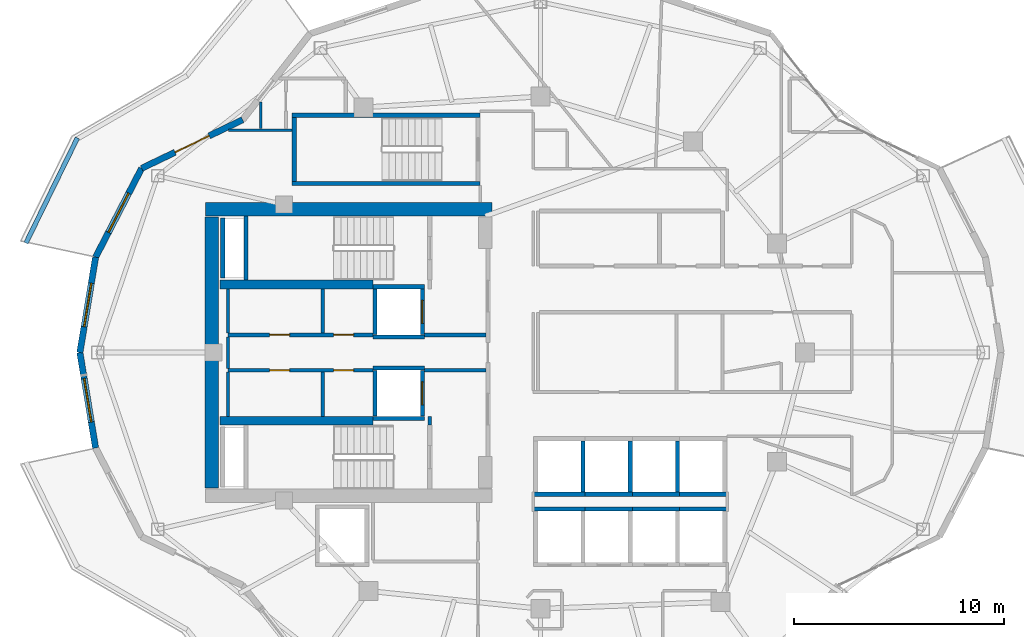
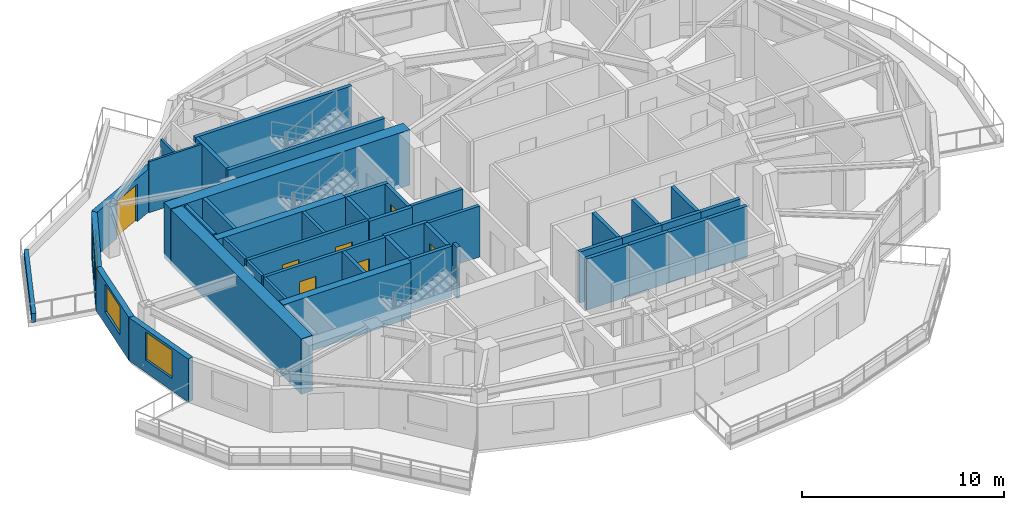
# One storey, part 6 of 13: 45 walls, 7 doors, 3 windows, 10 openings.
"""IFC4 building model written with IfcOpenShell, lengths in metres."""

from ifc_helpers import new_model, si_unit, direction, frame, frame_2d, origin, place, context, subcontext, project, spatial, rectangle, extrude, material, layer, layer_set, type_object, element, fill, save


model = new_model("IFC4")

# Units and contexts
model_context = context("Model", 3, precision=1e-05, world=origin(), true_north=direction((0.0, 1.0)))
body_context = subcontext(model_context, "Body", "Model", "MODEL_VIEW")
ifc_project = project(units=[si_unit("LENGTHUNIT", "METRE"), si_unit("AREAUNIT", "SQUARE_METRE"), si_unit("VOLUMEUNIT", "CUBIC_METRE"), si_unit("PLANEANGLEUNIT", "RADIAN"), si_unit("MASSUNIT", "GRAM", prefix="KILO")], contexts=[model_context])

# Site, building, storey
site_placement = place(None, origin())
site = spatial("IfcSite", under=ifc_project, at=site_placement, CompositionType="ELEMENT")
building_placement = place(site_placement, origin())
building = spatial("IfcBuilding", under=site, at=building_placement, Name="Kolvaren Gate Tower and Convention Centre", CompositionType="ELEMENT")
storey_placement = place(building_placement, frame((0.0, 0.0, 183.5)))
storey = spatial("IfcBuildingStorey", under=building, at=storey_placement, Name="L48", CompositionType="ELEMENT", Elevation=183.5)

# Wall
ifc_material_1 = material(Name="Autoclaved Aerated Masonry Blockwork Class 4 (4.0 MPa)", Category="masonry")
ifc_layer_1 = layer(ifc_material_1, 0.179931640625)
ifc_layer_set_1 = layer_set([ifc_layer_1], Name="Autoclaved Aerated Masonry Blockwork Class 4 (4.0 MPa)")
wall_type_1 = type_object("IfcWallType", Name="ARCH-WL-COMP-180", PredefinedType="SOLIDWALL", material=ifc_layer_set_1)
wall_1_placement = place(storey_placement, frame((24.85009765625, 23.5400390625, 0.0), z_axis=(0.0, 0.0, 1.0), x_axis=(0.0, 1.0, 0.0)))
element("IfcWall", 1, at=wall_1_placement, inside=storey, type_object=wall_type_1, Name="Interior Partition WL-L48-INT-001", PredefinedType="SOLIDWALL", context=body_context, shape_type="SweptSolid", body=[
    extrude(rectangle(XDim=0.419921875, YDim=0.179931640625, at=frame_2d((0.2099609375, 0.0))), origin(), (0.0, 0.0, 1.0), 3.080078125),
])

# Wall, openings, doors
wall_2_placement = place(storey_placement, frame((15.25, 27.840087890625, 0.0), z_axis=(0.0, 0.0, 1.0), x_axis=(1.0, 0.0, 0.0)))
wall_2 = element("IfcWall", 2, at=wall_2_placement, inside=storey, type_object=wall_type_1, Name="Interior Partition WL-L48-INT-004", PredefinedType="SOLIDWALL", context=body_context, shape_type="SweptSolid", body=[
    extrude(rectangle(XDim=6.89990234375, YDim=0.179931640625, at=frame_2d((3.449951171875, 0.0))), origin(), (0.0, 0.0, 1.0), 3.080078125),
])
opening_1_placement = place(wall_2_placement, frame((5.02001953125, 0.0, 0.0)))
opening_1 = element("IfcOpeningElement", 3, at=opening_1_placement, cuts=wall_2, Name="Opening DR-01", PredefinedType="OPENING", context=body_context, shape_type="SweptSolid", body=[
    extrude(rectangle(XDim=0.949951171875, YDim=2.10009765625, at=frame_2d((0.47509765625, 1.050048828125))), frame((0.0, 0.099853515625, 0.0), z_axis=(0.0, -1.0, 0.0), x_axis=(1.0, 0.0, 0.0)), (0.0, 0.0, 1.0), 0.199951171875),
])
opening_2_placement = place(wall_2_placement, frame((1.97998046875, 0.0, 0.0)))
opening_2 = element("IfcOpeningElement", 4, at=opening_2_placement, cuts=wall_2, Name="Opening DR-01", PredefinedType="OPENING", context=body_context, shape_type="SweptSolid", body=[
    extrude(rectangle(XDim=0.949951171875, YDim=2.10009765625, at=frame_2d((0.47509765625, 1.050048828125))), frame((0.0, 0.099853515625, 0.0), z_axis=(0.0, -1.0, 0.0), x_axis=(1.0, 0.0, 0.0)), (0.0, 0.0, 1.0), 0.199951171875),
])
ifc_material_2 = material(Name="Painted Architectural Steelwork ASTM A500 Grade C 345 MPa", Category="steel")
door_type_1 = type_object("IfcDoorType", Name="ARCH-DR-RISER-950", OperationType="SINGLE_SWING_RIGHT", PredefinedType="DOOR", material=ifc_material_2)
door_1_placement = place(opening_1_placement, origin())
door_1 = element("IfcDoor", 5, at=door_1_placement, inside=storey, type_object=door_type_1, Name="Electrical Switchgear Closet Door", OperationType="SINGLE_SWING_RIGHT", OverallHeight=2.10009765625, OverallWidth=0.949951171875, PredefinedType="DOOR", context=body_context, shape_type="SweptSolid", body=[
    extrude(rectangle(XDim=0.949951171875, YDim=2.10009765625, at=frame_2d((0.47509765625, 1.050048828125))), frame((0.0, 0.02490234375, 0.0), z_axis=(0.0, -1.0, 0.0), x_axis=(1.0, 0.0, 0.0)), (0.0, 0.0, 1.0), 0.050048828125),
])
fill(opening_1, door_1)
door_2_placement = place(opening_2_placement, origin())
door_2 = element("IfcDoor", 6, at=door_2_placement, inside=storey, type_object=door_type_1, Name="Staff Powder Washroom Door", OperationType="SINGLE_SWING_RIGHT", OverallHeight=2.10009765625, OverallWidth=0.949951171875, PredefinedType="DOOR", context=body_context, shape_type="SweptSolid", body=[
    extrude(rectangle(XDim=0.949951171875, YDim=2.10009765625, at=frame_2d((0.47509765625, 1.050048828125))), frame((0.0, 0.02490234375, 0.0), z_axis=(0.0, -1.0, 0.0), x_axis=(1.0, 0.0, 0.0)), (0.0, 0.0, 1.0), 0.050048828125),
])
fill(opening_2, door_2)

# Wall
wall_3_placement = place(storey_placement, frame((24.60009765625, 27.840087890625, 0.0), z_axis=(0.0, 0.0, 1.0), x_axis=(1.0, 0.0, 0.0)))
element("IfcWall", 7, at=wall_3_placement, inside=storey, type_object=wall_type_1, Name="Interior Partition WL-L48-INT-004 (2)", PredefinedType="SOLIDWALL", context=body_context, shape_type="SweptSolid", body=[
    extrude(rectangle(XDim=2.927978515625, YDim=0.179931640625, at=frame_2d((1.4638671875, 0.0))), origin(), (0.0, 0.0, 1.0), 3.080078125),
])

# Wall, openings, doors
wall_4_placement = place(storey_placement, frame((15.25, 26.159912109375, 0.0), z_axis=(0.0, 0.0, 1.0), x_axis=(1.0, 0.0, 0.0)))
wall_4 = element("IfcWall", 8, at=wall_4_placement, inside=storey, type_object=wall_type_1, Name="Interior Partition WL-L48-INT-005", PredefinedType="SOLIDWALL", context=body_context, shape_type="SweptSolid", body=[
    extrude(rectangle(XDim=6.89990234375, YDim=0.179931640625, at=frame_2d((3.449951171875, 0.0))), origin(), (0.0, 0.0, 1.0), 3.080078125),
])
opening_3_placement = place(wall_4_placement, frame((5.02001953125, 0.0, 0.0)))
opening_3 = element("IfcOpeningElement", 9, at=opening_3_placement, cuts=wall_4, Name="Opening DR-01", PredefinedType="OPENING", context=body_context, shape_type="SweptSolid", body=[
    extrude(rectangle(XDim=0.949951171875, YDim=2.10009765625, at=frame_2d((0.47509765625, 1.050048828125))), frame((0.0, 0.099853515625, 0.0), z_axis=(0.0, -1.0, 0.0), x_axis=(1.0, 0.0, 0.0)), (0.0, 0.0, 1.0), 0.199951171875),
])
opening_4_placement = place(wall_4_placement, frame((1.97998046875, 0.0, 0.0)))
opening_4 = element("IfcOpeningElement", 10, at=opening_4_placement, cuts=wall_4, Name="Opening DR-01", PredefinedType="OPENING", context=body_context, shape_type="SweptSolid", body=[
    extrude(rectangle(XDim=0.949951171875, YDim=2.10009765625, at=frame_2d((0.47509765625, 1.050048828125))), frame((0.0, 0.099853515625, 0.0), z_axis=(0.0, -1.0, 0.0), x_axis=(1.0, 0.0, 0.0)), (0.0, 0.0, 1.0), 0.199951171875),
])
door_3_placement = place(opening_3_placement, origin())
door_3 = element("IfcDoor", 11, at=door_3_placement, inside=storey, type_object=door_type_1, Name="Domestic Water Meter Closet Door", OperationType="SINGLE_SWING_LEFT", OverallHeight=2.10009765625, OverallWidth=0.949951171875, PredefinedType="DOOR", context=body_context, shape_type="SweptSolid", body=[
    extrude(rectangle(XDim=0.949951171875, YDim=2.10009765625, at=frame_2d((0.47509765625, 1.050048828125))), frame((0.0, 0.02490234375, 0.0), z_axis=(0.0, -1.0, 0.0), x_axis=(1.0, 0.0, 0.0)), (0.0, 0.0, 1.0), 0.050048828125),
])
fill(opening_3, door_3)
door_4_placement = place(opening_4_placement, origin())
door_4 = element("IfcDoor", 12, at=door_4_placement, inside=storey, type_object=door_type_1, Name="Janitor Equipment Store Door", OperationType="SINGLE_SWING_LEFT", OverallHeight=2.10009765625, OverallWidth=0.949951171875, PredefinedType="DOOR", context=body_context, shape_type="SweptSolid", body=[
    extrude(rectangle(XDim=0.949951171875, YDim=2.10009765625, at=frame_2d((0.47509765625, 1.050048828125))), frame((0.0, 0.02490234375, 0.0), z_axis=(0.0, -1.0, 0.0), x_axis=(1.0, 0.0, 0.0)), (0.0, 0.0, 1.0), 0.050048828125),
])
fill(opening_4, door_4)

# Walls
wall_5_placement = place(storey_placement, frame((24.60009765625, 26.159912109375, 0.0), z_axis=(0.0, 0.0, 1.0), x_axis=(1.0, 0.0, 0.0)))
element("IfcWall", 13, at=wall_5_placement, inside=storey, type_object=wall_type_1, Name="Interior Partition WL-L48-INT-005 (2)", PredefinedType="SOLIDWALL", context=body_context, shape_type="SweptSolid", body=[
    extrude(rectangle(XDim=2.927978515625, YDim=0.179931640625, at=frame_2d((1.4638671875, 0.0))), origin(), (0.0, 0.0, 1.0), 3.080078125),
])
for number, where, z_axis, x_axis, name in (
    (14, (19.75, 23.9619140625, 0.0), (0.0, 0.0, 1.0), (0.0, 1.0, 0.0), "Interior Partition WL-L48-INT-007"),
    (15, (19.75, 27.931884765625, 0.0), (0.0, 0.0, 1.0), (0.0, 1.0, 0.0), "Interior Partition WL-L48-INT-008"),
):
    element("IfcWall", number, at=place(storey_placement, frame(where, z_axis=z_axis, x_axis=x_axis)), inside=storey, type_object=wall_type_1, Name=name, PredefinedType="SOLIDWALL", context=body_context, shape_type="SweptSolid", body=[
        extrude(rectangle(XDim=2.106201171875, YDim=0.179931640625, at=frame_2d((1.05322265625, 0.0))), origin(), (0.0, 0.0, 1.0), 3.080078125),
    ])
ifc_material_3 = material(Name="Fire-Rated Acoustic Gypsum Stud Partition", Category="gypsum")
ifc_layer_2 = layer(ifc_material_3, 0.1201171875)
ifc_layer_set_2 = layer_set([ifc_layer_2], Name="Fire-Rated Acoustic Gypsum Stud Partition")
wall_type_2 = type_object("IfcWallType", Name="ARCH-WL-PART-120", PredefinedType="PARTITIONING", material=ifc_layer_set_2)
wall_6_placement = place(storey_placement, frame((15.27587890625, 37.60009765625, 0.0), z_axis=(0.0, 0.0, 1.0), x_axis=(1.0, 0.0, 0.0)))
element("IfcWall", 16, at=wall_6_placement, inside=storey, type_object=wall_type_2, Name="Interior Partition WL-L48-INT-049", PredefinedType="PARTITIONING", context=body_context, shape_type="SweptSolid", body=[
    extrude(rectangle(XDim=3.022216796875, YDim=0.1201171875, at=frame_2d((1.51123046875, 0.0))), origin(), (0.0, 0.0, 1.0), 3.080078125),
])
wall_7_placement = place(storey_placement, frame((16.800048828125, 37.662109375, 0.0), z_axis=(0.0, 0.0, 1.0), x_axis=(0.0, 1.0, 0.0)))
element("IfcWall", 17, at=wall_7_placement, inside=storey, type_object=wall_type_2, Name="Interior Partition WL-L48-INT-067", PredefinedType="PARTITIONING", context=body_context, shape_type="SweptSolid", body=[
    extrude(rectangle(XDim=1.2802734375, YDim=0.1201171875, at=frame_2d((0.64013671875, 0.0))), origin(), (0.0, 0.0, 1.0), 3.080078125),
])
ifc_material_4 = material(Name="Piedmont Cream Honed Limestone Cladding", Category="masonry")
ifc_layer_3 = layer(ifc_material_4, 0.219970703125)
ifc_layer_set_3 = layer_set([ifc_layer_3], Name="Piedmont Cream Honed Limestone Cladding")
wall_type_3 = type_object("IfcWallType", Name="ARCH-WL-PLANTER-220", PredefinedType="PARAPET", material=ifc_layer_set_3)
wall_8_placement = place(storey_placement, frame((5.6220703125, 32.22119140625, 0.0), z_axis=(0.0, 0.0, 1.0), x_axis=(0.439637174641, 0.898175458735, 0.0)))
element("IfcWall", 18, at=wall_8_placement, inside=storey, type_object=wall_type_3, Name="Vertical-Forest Balcony Stone Planter Kerb PK-L48-1.3", PredefinedType="PARAPET", context=body_context, shape_type="SweptSolid", body=[
    extrude(rectangle(XDim=5.567138671875, YDim=0.219970703125, at=frame_2d((2.78369140625, 0.0))), origin(), (0.0, 0.0, 1.0), 0.52001953125),
])
ifc_layer_4 = layer(ifc_material_1, 0.199951171875)
ifc_layer_set_4 = layer_set([ifc_layer_4], Name="Autoclaved Aerated Masonry Blockwork Class 4 (4.0 MPa)")
wall_type_4 = type_object("IfcWallType", Name="ARCH-WL-SHAFT-200", PredefinedType="SOLIDWALL", material=ifc_layer_set_4)
for number, where, z_axis, x_axis, name in (
    (19, (22.14990234375, 30.139892578125, 0.0), (0.0, 0.0, 1.0), (1.0, 0.0, 0.0), "Elevator FF-01 L48 Fire Shaft Wall N"),
    (20, (22.14990234375, 27.739990234375, 0.0), (0.0, 0.0, 1.0), (1.0, 0.0, 0.0), "Elevator FF-01 L48 Fire Shaft Wall S"),
):
    element("IfcWall", number, at=place(storey_placement, frame(where, z_axis=z_axis, x_axis=x_axis)), inside=storey, type_object=wall_type_4, Name=name, PredefinedType="SOLIDWALL", context=body_context, shape_type="SweptSolid", body=[
        extrude(rectangle(XDim=2.4501953125, YDim=0.199951171875, at=frame_2d((1.22509765625, 0.0))), origin(), (0.0, 0.0, 1.0), 3.080078125),
    ])
wall_9_placement = place(storey_placement, frame((22.25, 27.85009765625, 0.0), z_axis=(0.0, 0.0, 1.0), x_axis=(0.0, 1.0, 0.0)))
element("IfcWall", 21, at=wall_9_placement, inside=storey, type_object=wall_type_4, Name="Elevator FF-01 L48 Fire Shaft Wall W", PredefinedType="SOLIDWALL", context=body_context, shape_type="SweptSolid", body=[
    extrude(rectangle(XDim=2.179931640625, YDim=0.199951171875, at=frame_2d((1.08984375, 0.0))), origin(), (0.0, 0.0, 1.0), 3.080078125),
])

# Wall, opening, door
wall_10_placement = place(storey_placement, frame((24.5, 27.85009765625, 0.0), z_axis=(0.0, 0.0, 1.0), x_axis=(0.0, 1.0, 0.0)))
wall_10 = element("IfcWall", 22, at=wall_10_placement, inside=storey, type_object=wall_type_4, Name="Elevator FF-01 L48 Fire Shaft Wall E", PredefinedType="SOLIDWALL", context=body_context, shape_type="SweptSolid", body=[
    extrude(rectangle(XDim=2.179931640625, YDim=0.199951171875, at=frame_2d((1.08984375, 0.0))), origin(), (0.0, 0.0, 1.0), 3.080078125),
])
opening_5_placement = place(wall_10_placement, frame((0.5400390625, 0.0, 0.0)))
opening_5 = element("IfcOpeningElement", 23, at=opening_5_placement, cuts=wall_10, Name="Opening LD", PredefinedType="OPENING", context=body_context, shape_type="SweptSolid", body=[
    extrude(rectangle(XDim=1.10009765625, YDim=2.199951171875, at=frame_2d((0.550048828125, 1.10009765625))), frame((0.0, 0.10986328125, 0.0), z_axis=(0.0, -1.0, 0.0), x_axis=(1.0, 0.0, 0.0)), (0.0, 0.0, 1.0), 0.219970703125),
])
ifc_material_5 = material(Name="Brushed Stainless Steel Grade 316L", Category="steel")
door_type_2 = type_object("IfcDoorType", Name="ARCH-DR-LIFT-1100", OperationType="SLIDING_TO_LEFT", PredefinedType="DOOR", material=ifc_material_5)
door_5_placement = place(opening_5_placement, origin())
door_5 = element("IfcDoor", 24, at=door_5_placement, inside=storey, type_object=door_type_2, Name="Elevator FF-01 L48 Sliding Landing Door", OperationType="SLIDING_TO_LEFT", OverallHeight=2.199951171875, OverallWidth=1.10009765625, PredefinedType="DOOR", context=body_context, shape_type="SweptSolid", body=[
    extrude(rectangle(XDim=1.10009765625, YDim=2.199951171875, at=frame_2d((0.550048828125, 1.10009765625))), frame((0.0, 0.02490234375, 0.0), z_axis=(0.0, -1.0, 0.0), x_axis=(1.0, 0.0, 0.0)), (0.0, 0.0, 1.0), 0.050048828125),
])
fill(opening_5, door_5)

# Walls
for number, where, z_axis, x_axis, name in (
    (25, (22.14990234375, 26.260009765625, 0.0), (0.0, 0.0, 1.0), (1.0, 0.0, 0.0), "Elevator FF-02 L48 Fire Shaft Wall N"),
    (26, (22.14990234375, 23.860107421875, 0.0), (0.0, 0.0, 1.0), (1.0, 0.0, 0.0), "Elevator FF-02 L48 Fire Shaft Wall S"),
):
    element("IfcWall", number, at=place(storey_placement, frame(where, z_axis=z_axis, x_axis=x_axis)), inside=storey, type_object=wall_type_4, Name=name, PredefinedType="SOLIDWALL", context=body_context, shape_type="SweptSolid", body=[
        extrude(rectangle(XDim=2.4501953125, YDim=0.199951171875, at=frame_2d((1.22509765625, 0.0))), origin(), (0.0, 0.0, 1.0), 3.080078125),
    ])
wall_11_placement = place(storey_placement, frame((22.25, 23.969970703125, 0.0), z_axis=(0.0, 0.0, 1.0), x_axis=(0.0, 1.0, 0.0)))
element("IfcWall", 27, at=wall_11_placement, inside=storey, type_object=wall_type_4, Name="Elevator FF-02 L48 Fire Shaft Wall W", PredefinedType="SOLIDWALL", context=body_context, shape_type="SweptSolid", body=[
    extrude(rectangle(XDim=2.179931640625, YDim=0.199951171875, at=frame_2d((1.08984375, 0.0))), origin(), (0.0, 0.0, 1.0), 3.080078125),
])

# Wall, opening, door
wall_12_placement = place(storey_placement, frame((24.5, 23.969970703125, 0.0), z_axis=(0.0, 0.0, 1.0), x_axis=(0.0, 1.0, 0.0)))
wall_12 = element("IfcWall", 28, at=wall_12_placement, inside=storey, type_object=wall_type_4, Name="Elevator FF-02 L48 Fire Shaft Wall E", PredefinedType="SOLIDWALL", context=body_context, shape_type="SweptSolid", body=[
    extrude(rectangle(XDim=2.179931640625, YDim=0.199951171875, at=frame_2d((1.08984375, 0.0))), origin(), (0.0, 0.0, 1.0), 3.080078125),
])
opening_6_placement = place(wall_12_placement, frame((0.5400390625, 0.0, 0.0)))
opening_6 = element("IfcOpeningElement", 29, at=opening_6_placement, cuts=wall_12, Name="Opening LD", PredefinedType="OPENING", context=body_context, shape_type="SweptSolid", body=[
    extrude(rectangle(XDim=1.10009765625, YDim=2.199951171875, at=frame_2d((0.550048828125, 1.10009765625))), frame((0.0, 0.10986328125, 0.0), z_axis=(0.0, -1.0, 0.0), x_axis=(1.0, 0.0, 0.0)), (0.0, 0.0, 1.0), 0.219970703125),
])
door_6_placement = place(opening_6_placement, origin())
door_6 = element("IfcDoor", 30, at=door_6_placement, inside=storey, type_object=door_type_2, Name="Elevator FF-02 L48 Sliding Landing Door", OperationType="SLIDING_TO_LEFT", OverallHeight=2.199951171875, OverallWidth=1.10009765625, PredefinedType="DOOR", context=body_context, shape_type="SweptSolid", body=[
    extrude(rectangle(XDim=1.10009765625, YDim=2.199951171875, at=frame_2d((0.550048828125, 1.10009765625))), frame((0.0, 0.02490234375, 0.0), z_axis=(0.0, -1.0, 0.0), x_axis=(1.0, 0.0, 0.0)), (0.0, 0.0, 1.0), 0.050048828125),
])
fill(opening_6, door_6)

# Walls
wall_13_placement = place(storey_placement, frame((29.800048828125, 19.550048828125, 0.0), z_axis=(0.0, 0.0, 1.0), x_axis=(1.0, 0.0, 0.0)))
element("IfcWall", 31, at=wall_13_placement, inside=storey, type_object=wall_type_4, Name="Elevator PL-05 L48 Fire Shaft Wall N", PredefinedType="SOLIDWALL", context=body_context, shape_type="SweptSolid", body=[
    extrude(rectangle(XDim=2.449951171875, YDim=0.199951171875, at=frame_2d((1.22509765625, 0.0))), origin(), (0.0, 0.0, 1.0), 3.080078125),
])
for number, where, z_axis, x_axis, name in (
    (32, (32.25, 19.550048828125, 0.0), (0.0, 0.0, 1.0), (1.0, 0.0, 0.0), "Elevator PL-06 L48 Fire Shaft Wall N"),
    (33, (34.5, 19.550048828125, 0.0), (0.0, 0.0, 1.0), (1.0, 0.0, 0.0), "Elevator PL-07 L48 Fire Shaft Wall N"),
    (34, (36.75, 19.550048828125, 0.0), (0.0, 0.0, 1.0), (1.0, 0.0, 0.0), "Elevator PL-08 L48 Fire Shaft Wall N"),
):
    element("IfcWall", number, at=place(storey_placement, frame(where, z_axis=z_axis, x_axis=x_axis)), inside=storey, type_object=wall_type_4, Name=name, PredefinedType="SOLIDWALL", context=body_context, shape_type="SweptSolid", body=[
        extrude(rectangle(XDim=2.25, YDim=0.199951171875, at=frame_2d((1.125, 0.0))), origin(), (0.0, 0.0, 1.0), 3.080078125),
    ])
wall_14_placement = place(storey_placement, frame((29.800048828125, 20.25, 0.0), z_axis=(0.0, 0.0, 1.0), x_axis=(1.0, 0.0, 0.0)))
element("IfcWall", 35, at=wall_14_placement, inside=storey, type_object=wall_type_4, Name="Elevator PL-09 L48 Fire Shaft Wall S", PredefinedType="SOLIDWALL", context=body_context, shape_type="SweptSolid", body=[
    extrude(rectangle(XDim=2.449951171875, YDim=0.199951171875, at=frame_2d((1.22509765625, 0.0))), origin(), (0.0, 0.0, 1.0), 3.080078125),
])
wall_15_placement = place(storey_placement, frame((32.14990234375, 20.360107421875, 0.0), z_axis=(0.0, 0.0, 1.0), x_axis=(0.0, 1.0, 0.0)))
element("IfcWall", 36, at=wall_15_placement, inside=storey, type_object=wall_type_4, Name="Elevator PL-09 L48 Fire Shaft Wall E", PredefinedType="SOLIDWALL", context=body_context, shape_type="SweptSolid", body=[
    extrude(rectangle(XDim=2.429931640625, YDim=0.199951171875, at=frame_2d((1.21484375, 0.0))), origin(), (0.0, 0.0, 1.0), 3.080078125),
])
wall_16_placement = place(storey_placement, frame((32.25, 20.25, 0.0), z_axis=(0.0, 0.0, 1.0), x_axis=(1.0, 0.0, 0.0)))
element("IfcWall", 37, at=wall_16_placement, inside=storey, type_object=wall_type_4, Name="Elevator PL-10 L48 Fire Shaft Wall S", PredefinedType="SOLIDWALL", context=body_context, shape_type="SweptSolid", body=[
    extrude(rectangle(XDim=2.25, YDim=0.199951171875, at=frame_2d((1.125, 0.0))), origin(), (0.0, 0.0, 1.0), 3.080078125),
])
wall_17_placement = place(storey_placement, frame((34.39990234375, 20.360107421875, 0.0), z_axis=(0.0, 0.0, 1.0), x_axis=(0.0, 1.0, 0.0)))
element("IfcWall", 38, at=wall_17_placement, inside=storey, type_object=wall_type_4, Name="Elevator PL-10 L48 Fire Shaft Wall E", PredefinedType="SOLIDWALL", context=body_context, shape_type="SweptSolid", body=[
    extrude(rectangle(XDim=2.429931640625, YDim=0.199951171875, at=frame_2d((1.21484375, 0.0))), origin(), (0.0, 0.0, 1.0), 3.080078125),
])
wall_18_placement = place(storey_placement, frame((34.5, 20.25, 0.0), z_axis=(0.0, 0.0, 1.0), x_axis=(1.0, 0.0, 0.0)))
element("IfcWall", 39, at=wall_18_placement, inside=storey, type_object=wall_type_4, Name="Elevator PL-11 L48 Fire Shaft Wall S", PredefinedType="SOLIDWALL", context=body_context, shape_type="SweptSolid", body=[
    extrude(rectangle(XDim=2.25, YDim=0.199951171875, at=frame_2d((1.125, 0.0))), origin(), (0.0, 0.0, 1.0), 3.080078125),
])
wall_19_placement = place(storey_placement, frame((36.64990234375, 20.360107421875, 0.0), z_axis=(0.0, 0.0, 1.0), x_axis=(0.0, 1.0, 0.0)))
element("IfcWall", 40, at=wall_19_placement, inside=storey, type_object=wall_type_4, Name="Elevator PL-11 L48 Fire Shaft Wall E", PredefinedType="SOLIDWALL", context=body_context, shape_type="SweptSolid", body=[
    extrude(rectangle(XDim=2.429931640625, YDim=0.199951171875, at=frame_2d((1.21484375, 0.0))), origin(), (0.0, 0.0, 1.0), 3.080078125),
])
wall_20_placement = place(storey_placement, frame((36.75, 20.25, 0.0), z_axis=(0.0, 0.0, 1.0), x_axis=(1.0, 0.0, 0.0)))
element("IfcWall", 41, at=wall_20_placement, inside=storey, type_object=wall_type_4, Name="Elevator PL-12 L48 Fire Shaft Wall S", PredefinedType="SOLIDWALL", context=body_context, shape_type="SweptSolid", body=[
    extrude(rectangle(XDim=2.25, YDim=0.199951171875, at=frame_2d((1.125, 0.0))), origin(), (0.0, 0.0, 1.0), 3.080078125),
])
wall_21_placement = place(storey_placement, frame((14.989990234375, 30.550048828125, 0.0), z_axis=(0.0, 0.0, 1.0), x_axis=(0.0, 1.0, 0.0)))
element("IfcWall", 42, at=wall_21_placement, inside=storey, type_object=wall_type_4, Name="Vertical Shaft HVR L48 EI-120 Enclosure Wall W", PredefinedType="SOLIDWALL", context=body_context, shape_type="SweptSolid", body=[
    extrude(rectangle(XDim=2.849853515625, YDim=0.199951171875, at=frame_2d((1.4248046875, 0.0))), origin(), (0.0, 0.0, 1.0), 3.080078125),
])

# Wall, opening, door
ifc_layer_5 = layer(ifc_material_4, 0.300048828125)
ifc_layer_set_5 = layer_set([ifc_layer_5], Name="Piedmont Cream Honed Limestone Cladding")
wall_type_5 = type_object("IfcWallType", Name="ARCH-WL-STONE-300", PredefinedType="SOLIDWALL", material=ifc_layer_set_5)
wall_22_placement = place(storey_placement, frame((11.126708984375, 35.77490234375, 0.0), z_axis=(0.0, 0.0, 1.0), x_axis=(0.901353070301, 0.433085029363, 0.0)))
wall_22 = element("IfcWall", 43, at=wall_22_placement, inside=storey, type_object=wall_type_5, Name="Tower L48 Honed Stone Spandrel Wall EW-09", PredefinedType="SOLIDWALL", context=body_context, shape_type="SweptSolid", body=[
    extrude(rectangle(XDim=5.336181640625, YDim=0.300048828125, at=frame_2d((2.66796875, 0.0))), origin(), (0.0, 0.0, 1.0), 2.60302734375),
])
opening_7_placement = place(wall_22_placement, frame((1.76806640625, 0.0, 0.0)))
opening_7 = element("IfcOpeningElement", 44, at=opening_7_placement, cuts=wall_22, Name="Opening DB-01", PredefinedType="OPENING", context=body_context, shape_type="SweptSolid", body=[
    extrude(rectangle(XDim=1.800048828125, YDim=2.25, at=frame_2d((0.89990234375, 1.125))), frame((0.0, 0.159912109375, 0.0), z_axis=(0.0, -1.0, 0.0), x_axis=(1.0, 0.0, 0.0)), (0.0, 0.0, 1.0), 0.320068359375),
])
ifc_material_6 = material(Name="Anodized Architectural Aluminium Alloy 6063-T6", Category="aluminium")
door_type_3 = type_object("IfcDoorType", Name="ARCH-DR-BALC-1800", OperationType="SLIDING_TO_LEFT", PredefinedType="DOOR", material=ifc_material_6)
door_7_placement = place(opening_7_placement, origin())
door_7 = element("IfcDoor", 45, at=door_7_placement, inside=storey, type_object=door_type_3, Name="Planted Sky Terrace Access Door DB-L48-09", OperationType="SLIDING_TO_LEFT", OverallHeight=2.25, OverallWidth=1.800048828125, PredefinedType="DOOR", context=body_context, shape_type="SweptSolid", body=[
    extrude(rectangle(XDim=1.800048828125, YDim=2.25, at=frame_2d((0.89990234375, 1.125))), frame((0.0, 0.02490234375, 0.0), z_axis=(0.0, -1.0, 0.0), x_axis=(1.0, 0.0, 0.0)), (0.0, 0.0, 1.0), 0.050048828125),
])
fill(opening_7, door_7)

# Wall, opening, window
wall_23_placement = place(storey_placement, frame((8.93505859375, 31.542236328125, 0.0), z_axis=(0.0, 0.0, 1.0), x_axis=(0.459810251451, 0.888017191647, 0.0)))
wall_23 = element("IfcWall", 46, at=wall_23_placement, inside=storey, type_object=wall_type_5, Name="Tower L48 Honed Stone Spandrel Wall EW-10", PredefinedType="SOLIDWALL", context=body_context, shape_type="SweptSolid", body=[
    extrude(rectangle(XDim=4.766357421875, YDim=0.300048828125, at=frame_2d((2.38330078125, 0.0))), origin(), (0.0, 0.0, 1.0), 2.60302734375),
])
opening_8_placement = place(wall_23_placement, frame((1.3330078125, 0.0, 0.739990234375)))
opening_8 = element("IfcOpeningElement", 47, at=opening_8_placement, cuts=wall_23, Name="Opening W-02", PredefinedType="OPENING", context=body_context, shape_type="SweptSolid", body=[
    extrude(rectangle(XDim=2.10009765625, YDim=1.699951171875, at=frame_2d((1.050048828125, 0.85009765625))), frame((0.0, 0.159912109375, 0.0), z_axis=(0.0, -1.0, 0.0), x_axis=(1.0, 0.0, 0.0)), (0.0, 0.0, 1.0), 0.320068359375),
])
ifc_material_7 = material(Name="Low-E Triple Insulated Glazing Unit 44 mm", Category="glass")
window_type = type_object("IfcWindowType", Name="ARCH-WN-HTL-2100", PartitioningType="SINGLE_PANEL", PredefinedType="WINDOW", material=ifc_material_7)
window_1_placement = place(opening_8_placement, origin())
window_1 = element("IfcWindow", 48, at=window_1_placement, inside=storey, type_object=window_type, Name="Tower L48 Punched Stone Facade Window W-10", OverallHeight=1.699951171875, OverallWidth=2.10009765625, PartitioningType="SINGLE_PANEL", PredefinedType="WINDOW", context=body_context, shape_type="SweptSolid", body=[
    extrude(rectangle(XDim=2.10009765625, YDim=1.699951171875, at=frame_2d((1.050048828125, 0.85009765625))), frame((0.0, 0.030029296875, 0.0), z_axis=(0.0, -1.0, 0.0), x_axis=(1.0, 0.0, 0.0)), (0.0, 0.0, 1.0), 0.06005859375),
])
fill(opening_8, window_1)

wall_24_placement = place(storey_placement, frame((8.1875, 27.0, 0.0), z_axis=(0.0, 0.0, 1.0), x_axis=(0.162394765401, 0.986725868806, 0.0)))
wall_24 = element("IfcWall", 49, at=wall_24_placement, inside=storey, type_object=wall_type_5, Name="Tower L48 Honed Stone Spandrel Wall EW-11", PredefinedType="SOLIDWALL", context=body_context, shape_type="SweptSolid", body=[
    extrude(rectangle(XDim=4.603271484375, YDim=0.300048828125, at=frame_2d((2.3017578125, 0.0))), origin(), (0.0, 0.0, 1.0), 2.60302734375),
])
opening_9_placement = place(wall_24_placement, frame((1.251953125, 0.0, 0.739990234375)))
opening_9 = element("IfcOpeningElement", 50, at=opening_9_placement, cuts=wall_24, Name="Opening W-02", PredefinedType="OPENING", context=body_context, shape_type="SweptSolid", body=[
    extrude(rectangle(XDim=2.10009765625, YDim=1.699951171875, at=frame_2d((1.050048828125, 0.85009765625))), frame((0.0, 0.159912109375, 0.0), z_axis=(0.0, -1.0, 0.0), x_axis=(1.0, 0.0, 0.0)), (0.0, 0.0, 1.0), 0.320068359375),
])
window_2_placement = place(opening_9_placement, origin())
window_2 = element("IfcWindow", 51, at=window_2_placement, inside=storey, type_object=window_type, Name="Tower L48 Punched Stone Facade Window W-11", OverallHeight=1.699951171875, OverallWidth=2.10009765625, PartitioningType="SINGLE_PANEL", PredefinedType="WINDOW", context=body_context, shape_type="SweptSolid", body=[
    extrude(rectangle(XDim=2.10009765625, YDim=1.699951171875, at=frame_2d((1.050048828125, 0.85009765625))), frame((0.0, 0.030029296875, 0.0), z_axis=(0.0, -1.0, 0.0), x_axis=(1.0, 0.0, 0.0)), (0.0, 0.0, 1.0), 0.06005859375),
])
fill(opening_9, window_2)

wall_25_placement = place(storey_placement, frame((8.1875, 27.0, 0.0), z_axis=(0.0, 0.0, 1.0), x_axis=(0.162394765401, -0.986725868806, 0.0)))
wall_25 = element("IfcWall", 52, at=wall_25_placement, inside=storey, type_object=wall_type_5, Name="Tower L48 Honed Stone Spandrel Wall EW-12", PredefinedType="SOLIDWALL", context=body_context, shape_type="SweptSolid", body=[
    extrude(rectangle(XDim=4.603271484375, YDim=0.300048828125, at=frame_2d((2.3017578125, 0.0))), origin(), (0.0, 0.0, 1.0), 2.60302734375),
])
opening_10_placement = place(wall_25_placement, frame((1.251953125, 0.0, 0.739990234375)))
opening_10 = element("IfcOpeningElement", 53, at=opening_10_placement, cuts=wall_25, Name="Opening W-02", PredefinedType="OPENING", context=body_context, shape_type="SweptSolid", body=[
    extrude(rectangle(XDim=2.10009765625, YDim=1.699951171875, at=frame_2d((1.050048828125, 0.85009765625))), frame((0.0, 0.159912109375, 0.0), z_axis=(0.0, -1.0, 0.0), x_axis=(1.0, 0.0, 0.0)), (0.0, 0.0, 1.0), 0.320068359375),
])
window_3_placement = place(opening_10_placement, origin())
window_3 = element("IfcWindow", 54, at=window_3_placement, inside=storey, type_object=window_type, Name="Tower L48 Punched Stone Facade Window W-12", OverallHeight=1.699951171875, OverallWidth=2.10009765625, PartitioningType="SINGLE_PANEL", PredefinedType="WINDOW", context=body_context, shape_type="SweptSolid", body=[
    extrude(rectangle(XDim=2.10009765625, YDim=1.699951171875, at=frame_2d((1.050048828125, 0.85009765625))), frame((0.0, 0.030029296875, 0.0), z_axis=(0.0, -1.0, 0.0), x_axis=(1.0, 0.0, 0.0)), (0.0, 0.0, 1.0), 0.06005859375),
])
fill(opening_10, window_3)

# Walls
ifc_material_8 = material(Name="Moisture-Resistant Cement-Board Acoustic Partition", Category="gypsum")
ifc_layer_6 = layer(ifc_material_8, 0.14990234375)
ifc_layer_set_6 = layer_set([ifc_layer_6], Name="Moisture-Resistant Cement-Board Acoustic Partition")
wall_type_6 = type_object("IfcWallType", Name="ARCH-WL-WET-150", PredefinedType="PARTITIONING", material=ifc_layer_set_6)
wall_26_placement = place(storey_placement, frame((15.25, 23.9619140625, 0.0), z_axis=(0.0, 0.0, 1.0), x_axis=(0.0, 1.0, 0.0)))
element("IfcWall", 55, at=wall_26_placement, inside=storey, type_object=wall_type_6, Name="Interior Partition WL-L48-INT-006", PredefinedType="PARTITIONING", context=body_context, shape_type="SweptSolid", body=[
    extrude(rectangle(XDim=2.106201171875, YDim=0.14990234375, at=frame_2d((1.05322265625, 0.0))), origin(), (0.0, 0.0, 1.0), 3.080078125),
])
wall_27_placement = place(storey_placement, frame((15.25, 26.251953125, 0.0), z_axis=(0.0, 0.0, 1.0), x_axis=(0.0, 1.0, 0.0)))
element("IfcWall", 56, at=wall_27_placement, inside=storey, type_object=wall_type_6, Name="Interior Partition WL-L48-INT-006 (2)", PredefinedType="PARTITIONING", context=body_context, shape_type="SweptSolid", body=[
    extrude(rectangle(XDim=1.49609375, YDim=0.14990234375, at=frame_2d((0.748046875, 0.0))), origin(), (0.0, 0.0, 1.0), 3.080078125),
])
wall_28_placement = place(storey_placement, frame((15.25, 27.931884765625, 0.0), z_axis=(0.0, 0.0, 1.0), x_axis=(0.0, 1.0, 0.0)))
element("IfcWall", 57, at=wall_28_placement, inside=storey, type_object=wall_type_6, Name="Interior Partition WL-L48-INT-006 (3)", PredefinedType="PARTITIONING", context=body_context, shape_type="SweptSolid", body=[
    extrude(rectangle(XDim=2.106201171875, YDim=0.14990234375, at=frame_2d((1.05322265625, 0.0))), origin(), (0.0, 0.0, 1.0), 3.080078125),
])
ifc_material_9 = material(Name="Concrete C50/60", Category="concrete")
ifc_layer_7 = layer(ifc_material_9, 0.419921875)
ifc_layer_set_7 = layer_set([ifc_layer_7], Name="Concrete C50/60")
wall_type_7 = type_object("IfcWallType", Name="STR-WL-CONV-420", PredefinedType="SHEAR", material=ifc_layer_set_7)
for number, where, z_axis, x_axis, name in (
    (58, (14.85009765625, 30.25, -0.27001953125), (0.0, 0.0, 1.0), (1.0, 0.0, 0.0), "Tower L48 Offset Core Shear Wall WN"),
    (59, (14.85009765625, 23.75, -0.27001953125), (0.0, 0.0, 1.0), (1.0, 0.0, 0.0), "Tower L48 Offset Core Shear Wall WS"),
):
    element("IfcWall", number, at=place(storey_placement, frame(where, z_axis=z_axis, x_axis=x_axis)), inside=storey, type_object=wall_type_7, Name=name, PredefinedType="SHEAR", context=body_context, shape_type="SweptSolid", body=[
        extrude(rectangle(XDim=7.2998046875, YDim=0.419921875, at=frame_2d((3.64990234375, 0.0))), origin(), (0.0, 0.0, 1.0), 3.35009765625),
    ])
ifc_material_10 = material(Name="Concrete C60/75", Category="concrete")
ifc_layer_8 = layer(ifc_material_10, 0.64990234375)
ifc_layer_set_8 = layer_set([ifc_layer_8], Name="Concrete C60/75")
wall_type_8 = type_object("IfcWallType", Name="STR-WL-CORE-650", PredefinedType="SHEAR", material=ifc_layer_set_8)
wall_29_placement = place(storey_placement, frame((14.175048828125, 33.824951171875, -0.27001953125), z_axis=(0.0, 0.0, 1.0), x_axis=(1.0, 0.0, 0.0)))
element("IfcWall", 60, at=wall_29_placement, inside=storey, type_object=wall_type_8, Name="Tower L48 Offset Core Shear Wall N", PredefinedType="SHEAR", context=body_context, shape_type="SweptSolid", body=[
    extrude(rectangle(XDim=13.64990234375, YDim=0.64990234375, at=frame_2d((6.824951171875, 0.0))), origin(), (0.0, 0.0, 1.0), 3.35009765625),
])
wall_30_placement = place(storey_placement, frame((14.47509765625, 20.550048828125, -0.27001953125), z_axis=(0.0, 0.0, 1.0), x_axis=(0.0, 1.0, 0.0)))
element("IfcWall", 61, at=wall_30_placement, inside=storey, type_object=wall_type_8, Name="Tower L48 Offset Core Shear Wall W", PredefinedType="SHEAR", context=body_context, shape_type="SweptSolid", body=[
    extrude(rectangle(XDim=12.89990234375, YDim=0.64990234375, at=frame_2d((6.449951171875, 0.0))), origin(), (0.0, 0.0, 1.0), 3.35009765625),
])
ifc_layer_9 = layer(ifc_material_9, 0.199951171875)
ifc_layer_set_9 = layer_set([ifc_layer_9], Name="Concrete C50/60")
wall_type_9 = type_object("IfcWallType", Name="STR-WL-SHAFT-200", PredefinedType="SHEAR", material=ifc_layer_set_9)
wall_31_placement = place(storey_placement, frame((16.10009765625, 30.4619140625, -0.27001953125), z_axis=(0.0, 0.0, 1.0), x_axis=(0.0, 1.0, 0.0)))
element("IfcWall", 62, at=wall_31_placement, inside=storey, type_object=wall_type_9, Name="Tower North Exit Stair ST-T1 L48 Structural Shear Enclosure Wall FAR", PredefinedType="SHEAR", context=body_context, shape_type="SweptSolid", body=[
    extrude(rectangle(XDim=3.0361328125, YDim=0.199951171875, at=frame_2d((1.51806640625, 0.0))), origin(), (0.0, 0.0, 1.0), 3.35009765625),
])
wall_32_placement = place(storey_placement, frame((18.39990234375, 35.159912109375, -0.27001953125), z_axis=(0.0, 0.0, 1.0), x_axis=(0.0, 1.0, 0.0)))
element("IfcWall", 63, at=wall_32_placement, inside=storey, type_object=wall_type_9, Name="Tower Mid-Zone Exit Stair ST-T3 L48 Structural Shear Enclosure Wall FAR", PredefinedType="SHEAR", context=body_context, shape_type="SweptSolid", body=[
    extrude(rectangle(XDim=3.0400390625, YDim=0.199951171875, at=frame_2d((1.52001953125, 0.0))), origin(), (0.0, 0.0, 1.0), 3.35009765625),
])
for number, where, z_axis, x_axis, name in (
    (64, (18.300048828125, 38.300048828125, -0.27001953125), (0.0, 0.0, 1.0), (1.0, 0.0, 0.0), "Tower Mid-Zone Exit Stair ST-T3 L48 Structural Shear Enclosure Wall LEFT"),
    (65, (18.300048828125, 35.06005859375, -0.27001953125), (0.0, 0.0, 1.0), (1.0, 0.0, 0.0), "Tower Mid-Zone Exit Stair ST-T3 L48 Structural Shear Enclosure Wall RGHT"),
):
    element("IfcWall", number, at=place(storey_placement, frame(where, z_axis=z_axis, x_axis=x_axis)), inside=storey, type_object=wall_type_9, Name=name, PredefinedType="SHEAR", context=body_context, shape_type="SweptSolid", body=[
        extrude(rectangle(XDim=8.949951171875, YDim=0.199951171875, at=frame_2d((4.47509765625, 0.0))), origin(), (0.0, 0.0, 1.0), 3.35009765625),
    ])

save(model, "model.ifc")
